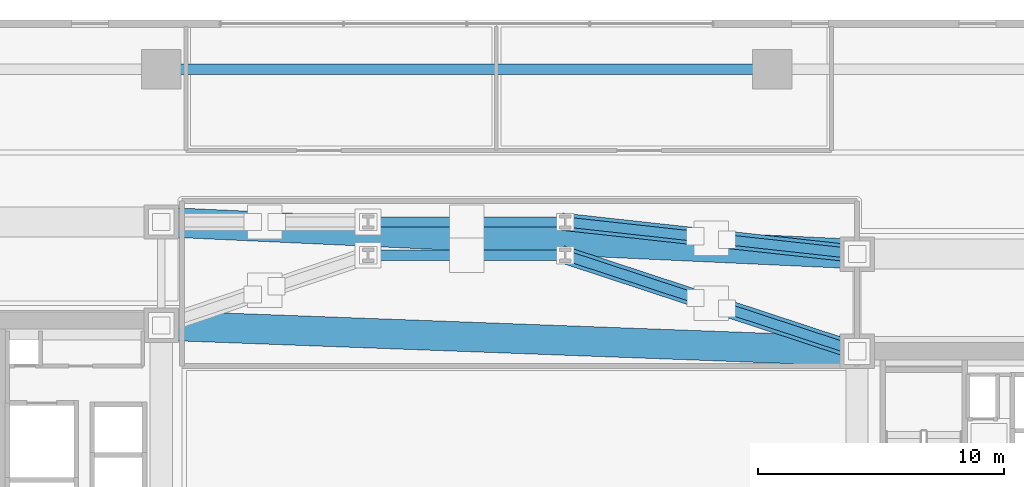
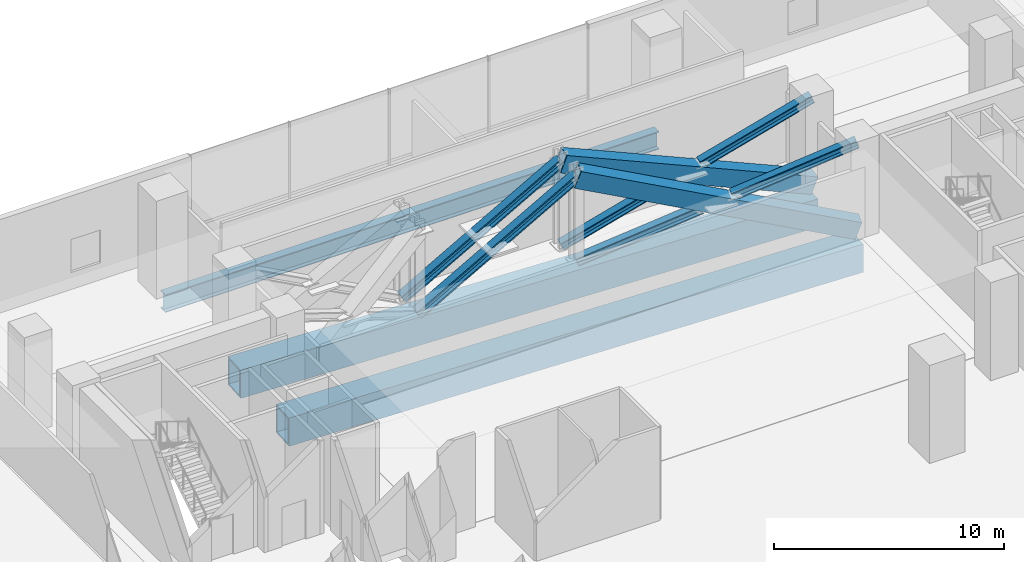
# One storey, part 15 of 41: 8 members, 3 beams.
"""IFC4 building model written with IfcOpenShell, lengths in metres."""

from ifc_helpers import new_model, si_unit, direction, frame, origin, origin_2d, place, context, subcontext, project, spatial, hollow_rectangle, i_section, extrude, source, transform, mapped, material, material_profile, profile_set, type_object, element, save


model = new_model("IFC4")

# Units and contexts
model_context = context("Model", 3, precision=1e-05, world=origin(), true_north=direction((0.0, 1.0)))
body_context = subcontext(model_context, "Body", "Model", "MODEL_VIEW")
ifc_project = project(units=[si_unit("LENGTHUNIT", "METRE"), si_unit("AREAUNIT", "SQUARE_METRE"), si_unit("VOLUMEUNIT", "CUBIC_METRE"), si_unit("PLANEANGLEUNIT", "RADIAN"), si_unit("MASSUNIT", "GRAM", prefix="KILO")], contexts=[model_context])

# Site, building, storey
site_placement = place(None, origin())
site = spatial("IfcSite", under=ifc_project, at=site_placement, CompositionType="ELEMENT")
building_placement = place(site_placement, origin())
building = spatial("IfcBuilding", under=site, at=building_placement, Name="Valdorenza Pilgrim Sanctuary Tower", CompositionType="ELEMENT")
storey_placement = place(building_placement, frame((0.0, 0.0, 20.800048828125)))
storey = spatial("IfcBuildingStorey", under=building, at=storey_placement, Name="L04", CompositionType="ELEMENT", Elevation=20.800048828125)

# Beams
ifc_material_1 = material(Name="Steel ASTM A992 Grade 50", Category="steel")
ifc_material_profile_1 = material_profile(ifc_material_1, i_section(OverallWidth=0.423095703125, OverallDepth=0.947998046875, WebThickness=0.02392578125, FlangeThickness=0.042724609375, at=origin_2d()), Name="W36X302")
ifc_profile_set_1 = profile_set([ifc_material_profile_1], Name="Steel ASTM A992 Grade 50")
beam_type_1 = type_object("IfcBeamType", Name="STR-BM-GRD-W36A", PredefinedType="BEAM", material=ifc_profile_set_1)
shared_shape_1 = source(origin(), body_context, "Body", "SweptSolid", [
    extrude(i_section(OverallWidth=0.423095703125, OverallDepth=0.947998046875, WebThickness=0.02392578125, FlangeThickness=0.042724609375, at=origin_2d()), origin(), (0.0, 0.0, 1.0), 24.7998046875),
])
beam_1_placement = place(storey_placement, frame((-12.39990234375, 21.0, -0.8740234375), z_axis=(1.0, 0.0, 0.0), x_axis=(0.0, 1.0, 0.0)))
element("IfcBeam", 1, at=beam_1_placement, inside=storey, type_object=beam_type_1, Name="L04 Floor Girder POD-N-TIE2", PredefinedType="BEAM", context=body_context, shape_type="MappedRepresentation", body=[
    mapped(shared_shape_1, transform((0.0, 0.0, 0.0), x_axis=(1.0, 0.0, 0.0), y_axis=(0.0, 1.0, 0.0), z_axis=(0.0, 0.0, 1.0), scale=1.0)),
])
ifc_material_2 = material(Name="Steel ASTM A572 Grade 42", Category="steel")
ifc_material_profile_2 = material_profile(ifc_material_2, hollow_rectangle(XDim=1.199951171875, YDim=1.5, WallThickness=0.090087890625, at=origin_2d()), Name="BOX 1200x1500x90")
ifc_profile_set_2 = profile_set([ifc_material_profile_2], Name="Steel ASTM A572 Grade 42")
beam_type_2 = type_object("IfcBeamType", Name="STR-BM-TRF-1500", PredefinedType="BEAM", material=ifc_profile_set_2)
shared_shape_2 = source(origin(), body_context, "Body", "SweptSolid", [
    extrude(hollow_rectangle(XDim=1.199951171875, YDim=1.5, WallThickness=0.090087890625, at=origin_2d()), origin(), (0.0, 0.0, 1.0), 28.26953125),
])
beam_2_placement = place(storey_placement, frame((-12.39990234375, 10.60009765625, -1.150146484375), z_axis=(0.999309915364, -0.037144219666, 0.0), x_axis=(0.037144219666, 0.999309915364, 0.0)))
element("IfcBeam", 2, at=beam_2_placement, inside=storey, type_object=beam_type_2, Name="L04 Podium Arch Transfer Girder TRF-L04-S", PredefinedType="BEAM", context=body_context, shape_type="MappedRepresentation", body=[
    mapped(shared_shape_2, transform((0.0, 0.0, 0.0), x_axis=(1.0, 0.0, 0.0), y_axis=(0.0, 1.0, 0.0), z_axis=(0.0, 0.0, 1.0), scale=1.0)),
])
shared_shape_3 = source(origin(), body_context, "Body", "SweptSolid", [
    extrude(hollow_rectangle(XDim=1.199951171875, YDim=1.5, WallThickness=0.090087890625, at=origin_2d()), origin(), (0.0, 0.0, 1.0), 28.27978515625),
])
beam_3_placement = place(storey_placement, frame((-12.39990234375, 14.800048828125, -1.150146484375), z_axis=(0.998942785066, -0.045970775118, 0.0), x_axis=(0.045970775118, 0.998942785066, 0.0)))
element("IfcBeam", 3, at=beam_3_placement, inside=storey, type_object=beam_type_2, Name="L04 Podium Arch Transfer Girder TRF-L04-N", PredefinedType="BEAM", context=body_context, shape_type="MappedRepresentation", body=[
    mapped(shared_shape_3, transform((0.0, 0.0, 0.0), x_axis=(1.0, 0.0, 0.0), y_axis=(0.0, 1.0, 0.0), z_axis=(0.0, 0.0, 1.0), scale=1.0)),
])

# Members
ifc_material_profile_3 = material_profile(ifc_material_1, i_section(OverallWidth=0.41796875, OverallDepth=0.455078125, WebThickness=0.0419921875, FlangeThickness=0.067626953125, at=origin_2d()), Name="W14X370")
ifc_profile_set_3 = profile_set([ifc_material_profile_3], Name="Steel ASTM A992 Grade 50")
member_type_1 = type_object("IfcMemberType", Name="STR-MB-OUT-W370", PredefinedType="BRACE", material=ifc_profile_set_3)
shared_shape_4 = source(origin(), body_context, "Body", "SweptSolid", [
    extrude(i_section(OverallWidth=0.41796875, OverallDepth=0.455078125, WebThickness=0.0419921875, FlangeThickness=0.067626953125, at=origin_2d()), origin(), (0.0, 0.0, 1.0), 9.1787109375),
])
for number, where, z_axis, x_axis, name in (
    (4, (-4.0, 13.449951171875, 0.14990234375), (0.871575537125, 0.0, 0.490261239633), (0.0, 1.0, 0.0), "L04 Transfer Truss Central Web 1"),
    (5, (-4.0, 14.800048828125, 0.14990234375), (0.871575537125, 0.0, 0.490261239633), (0.0, 1.0, 0.0), "L04 Transfer Truss Central Web 2"),
):
    element("IfcMember", number, at=place(storey_placement, frame(where, z_axis=z_axis, x_axis=x_axis)), inside=storey, type_object=member_type_1, Name=name, PredefinedType="BRACE", context=body_context, shape_type="MappedRepresentation", body=[
        mapped(shared_shape_4, transform((0.0, 0.0, 0.0), x_axis=(1.0, 0.0, 0.0), y_axis=(0.0, 1.0, 0.0), z_axis=(0.0, 0.0, 1.0), scale=1.0)),
    ])
ifc_material_profile_4 = material_profile(ifc_material_2, hollow_rectangle(XDim=0.699951171875, YDim=0.89990234375, WallThickness=0.070068359375, at=origin_2d()), Name="BOX 900x700x70")
ifc_profile_set_4 = profile_set([ifc_material_profile_4], Name="Steel ASTM A572 Grade 42")
member_type_2 = type_object("IfcMemberType", Name="STR-MB-OUT-BOX900", PredefinedType="BRACE", material=ifc_profile_set_4)
shared_shape_5 = source(origin(), body_context, "Body", "SweptSolid", [
    extrude(hollow_rectangle(XDim=0.699951171875, YDim=0.89990234375, WallThickness=0.070068359375, at=origin_2d()), origin(), (0.0, 0.0, 1.0), 13.26220703125),
])
member_1_placement = place(storey_placement, frame((15.85009765625, 9.550048828125, 0.14990234375), z_axis=(-0.893529092459, 0.294063078885, 0.339312048955), x_axis=(-0.312608957943, -0.949881908141, 0.0)))
element("IfcMember", 6, at=member_1_placement, inside=storey, type_object=member_type_2, Name="L04 Transfer Truss Web Diagonal E1", PredefinedType="BRACE", context=body_context, shape_type="MappedRepresentation", body=[
    mapped(shared_shape_5, transform((0.0, 0.0, 0.0), x_axis=(1.0, 0.0, 0.0), y_axis=(0.0, 1.0, 0.0), z_axis=(0.0, 0.0, 1.0), scale=1.0)),
])
ifc_material_profile_5 = material_profile(ifc_material_1, i_section(OverallWidth=0.406005859375, OverallDepth=0.416015625, WebThickness=0.02978515625, FlangeThickness=0.048095703125, at=origin_2d()), Name="W14X257")
ifc_profile_set_5 = profile_set([ifc_material_profile_5], Name="Steel ASTM A992 Grade 50")
member_type_3 = type_object("IfcMemberType", Name="STR-MB-OUT-W257", PredefinedType="BRACE", material=ifc_profile_set_5)
shared_shape_6 = source(origin(), body_context, "Body", "SweptSolid", [
    extrude(i_section(OverallWidth=0.406005859375, OverallDepth=0.416015625, WebThickness=0.02978515625, FlangeThickness=0.048095703125, at=origin_2d()), origin(), (0.0, 0.0, 1.0), 5.9140625),
])
for number, where, z_axis, x_axis, name in (
    (7, (15.85009765625, 9.550048828125, 4.64990234375), (-0.893529865774, 0.294086706573, -0.339289534155), (-0.312631376758, -0.949874529749, 0.0), "L04 Transfer Counter-Diagonal E1 Lower Segment"),
    (8, (9.284423828125, 11.710693359375, 2.15673828125), (-0.893517350271, 0.294082587356, -0.339326062334), (-0.312631376758, -0.949874529749, 0.0), "L04 Transfer Counter-Diagonal E1 Upper Segment"),
):
    element("IfcMember", number, at=place(storey_placement, frame(where, z_axis=z_axis, x_axis=x_axis)), inside=storey, type_object=member_type_3, Name=name, PredefinedType="BRACE", context=body_context, shape_type="MappedRepresentation", body=[
        mapped(shared_shape_6, transform((0.0, 0.0, 0.0), x_axis=(1.0, 0.0, 0.0), y_axis=(0.0, 1.0, 0.0), z_axis=(0.0, 0.0, 1.0), scale=1.0)),
    ])
shared_shape_7 = source(origin(), body_context, "Body", "SweptSolid", [
    extrude(hollow_rectangle(XDim=0.699951171875, YDim=0.89990234375, WallThickness=0.070068359375, at=origin_2d()), origin(), (0.0, 0.0, 1.0), 12.7421875),
])
member_2_placement = place(storey_placement, frame((15.85009765625, 13.5, 0.14990234375), z_axis=(-0.929984690641, 0.102026628161, 0.353155832912), x_axis=(-0.10905354656, -0.994035876607, 0.0)))
element("IfcMember", 9, at=member_2_placement, inside=storey, type_object=member_type_2, Name="L04 Transfer Truss Web Diagonal E2", PredefinedType="BRACE", context=body_context, shape_type="MappedRepresentation", body=[
    mapped(shared_shape_7, transform((0.0, 0.0, 0.0), x_axis=(1.0, 0.0, 0.0), y_axis=(0.0, 1.0, 0.0), z_axis=(0.0, 0.0, 1.0), scale=1.0)),
])
shared_shape_8 = source(origin(), body_context, "Body", "SweptSolid", [
    extrude(i_section(OverallWidth=0.406005859375, OverallDepth=0.416015625, WebThickness=0.02978515625, FlangeThickness=0.048095703125, at=origin_2d()), origin(), (0.0, 0.0, 1.0), 5.67822265625),
])
for number, where, z_axis, x_axis, name in (
    (10, (15.85009765625, 13.5, 4.64990234375), (-0.929976774277, 0.102031295268, -0.353175330524), (-0.109059393087, -0.99403523518, 0.0), "L04 Transfer Counter-Diagonal E2 Lower Segment"),
    (11, (9.280517578125, 14.220703125, 2.1552734375), (-0.929976774277, 0.102031295268, -0.353175330524), (-0.109059393087, -0.99403523518, 0.0), "L04 Transfer Counter-Diagonal E2 Upper Segment"),
):
    element("IfcMember", number, at=place(storey_placement, frame(where, z_axis=z_axis, x_axis=x_axis)), inside=storey, type_object=member_type_3, Name=name, PredefinedType="BRACE", context=body_context, shape_type="MappedRepresentation", body=[
        mapped(shared_shape_8, transform((0.0, 0.0, 0.0), x_axis=(1.0, 0.0, 0.0), y_axis=(0.0, 1.0, 0.0), z_axis=(0.0, 0.0, 1.0), scale=1.0)),
    ])

save(model, "model.ifc")
